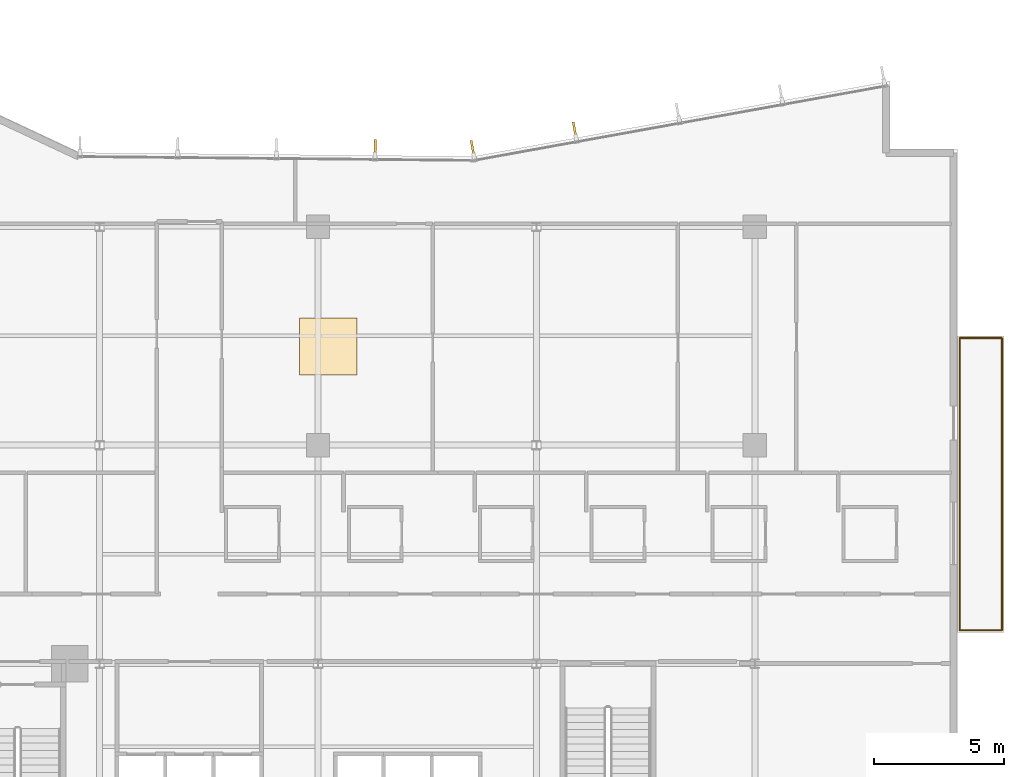
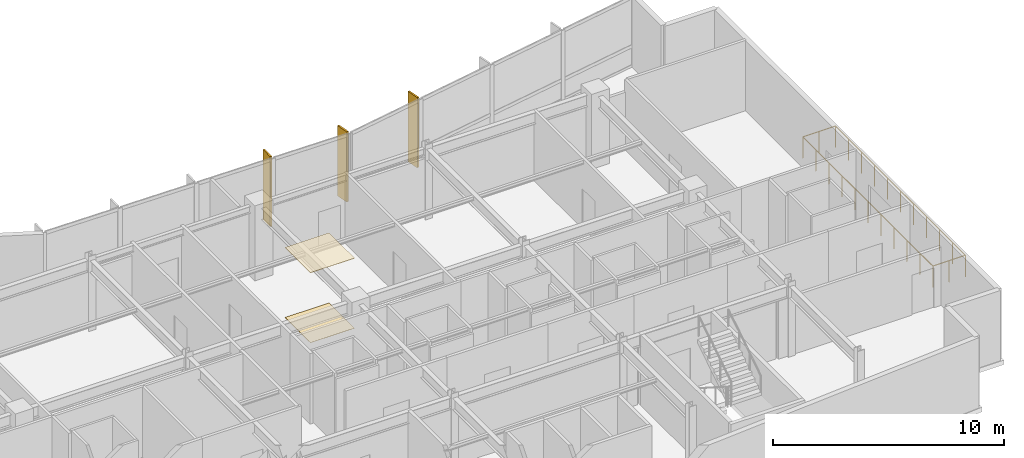
# One storey, part 17 of 19: 4 railings, 3 shading devices, 2 coverings.
"""IFC4 building model written with IfcOpenShell, lengths in metres."""

from ifc_helpers import new_model, si_unit, direction, frame, origin, origin_2d, place, context, subcontext, project, spatial, rectangle, circle, extrude, material, layer, layer_set, type_object, element, save


model = new_model("IFC4")

# Units and contexts
model_context = context("Model", 3, precision=1e-05, world=origin(), true_north=direction((0.0, 1.0)))
body_context = subcontext(model_context, "Body", "Model", "MODEL_VIEW")
ifc_project = project(units=[si_unit("LENGTHUNIT", "METRE"), si_unit("AREAUNIT", "SQUARE_METRE"), si_unit("VOLUMEUNIT", "CUBIC_METRE"), si_unit("PLANEANGLEUNIT", "RADIAN"), si_unit("MASSUNIT", "GRAM", prefix="KILO")], contexts=[model_context])

# Site, building, storey
site_placement = place(None, origin())
site = spatial("IfcSite", under=ifc_project, at=site_placement, CompositionType="ELEMENT")
building_placement = place(site_placement, origin())
building = spatial("IfcBuilding", under=site, at=building_placement, Name="Varnakote Quay Hospital", CompositionType="ELEMENT")
storey_placement = place(building_placement, frame((0.0, 0.0, 54.10009765625)))
storey = spatial("IfcBuildingStorey", under=building, at=storey_placement, Name="L13", CompositionType="ELEMENT", Elevation=54.10009765625)

# Coverings
ifc_material_1 = material(Name="Antimicrobial acoustic mineral ceiling tile", Category="gypsum")
ifc_layer_1 = layer(ifc_material_1, 0.02490234375)
ifc_layer_set_1 = layer_set([ifc_layer_1], Name="Antimicrobial acoustic mineral ceiling tile")
covering_type_1 = type_object("IfcCoveringType", Name="COV-CLIN-CEIL-25", PredefinedType="CEILING", material=ifc_layer_set_1)
covering_1_placement = place(storey_placement, frame((33.9951171875, 24.199951171875, 3.68505859375), z_axis=(0.0, 0.0, 1.0), x_axis=(1.0, 0.0, 0.0)))
element("IfcCovering", 1, at=covering_1_placement, inside=storey, type_object=covering_type_1, Name="L13 Antimicrobial Acoustic Ceiling Tile", PredefinedType="CEILING", context=body_context, shape_type="SweptSolid", body=[
    extrude(rectangle(XDim=2.199951171875, YDim=2.199951171875, at=origin_2d()), origin(), (0.0, 0.0, 1.0), 0.02490234375),
])
ifc_material_2 = material(Name="Seamless clinical sheet vinyl flooring")
ifc_layer_2 = layer(ifc_material_2, 0.011962890625)
ifc_layer_set_2 = layer_set([ifc_layer_2], Name="Seamless clinical sheet vinyl flooring")
covering_type_2 = type_object("IfcCoveringType", Name="COV-CLIN-VINYL-12", PredefinedType="FLOORING", material=ifc_layer_set_2)
covering_2_placement = place(storey_placement, frame((33.9951171875, 24.199951171875, 0.0), z_axis=(0.0, 0.0, 1.0), x_axis=(1.0, 0.0, 0.0)))
element("IfcCovering", 2, at=covering_2_placement, inside=storey, type_object=covering_type_2, Name="L13 Seamless Clinical Vinyl Flooring", PredefinedType="FLOORING", context=body_context, shape_type="SweptSolid", body=[
    extrude(rectangle(XDim=2.199951171875, YDim=2.199951171875, at=origin_2d()), origin(), (0.0, 0.0, 1.0), 0.011962890625),
])

# Railings
ifc_material_3 = material(Name="Anodised aluminium 6063-T6 Bronze", Category="aluminium")
railing_type = type_object("IfcRailingType", Name="RLG-EXT-GUARD-1150", PredefinedType="GUARDRAIL", material=ifc_material_3)
railing_1_placement = place(storey_placement, frame((58.27587890625, 24.52001953125, 0.0)))
element("IfcRailing", 3, at=railing_1_placement, inside=storey, type_object=railing_type, Name="L13 Zigzag Prow Healing Terrace Safety Guard", PredefinedType="GUARDRAIL", context=body_context, shape_type="SweptSolid", body=[
    extrude(circle(Radius=0.02392578125, at=origin_2d()), frame((0.0, 0.0, 1.1259765625), z_axis=(1.0, 0.0, 0.0), x_axis=(0.0, 1.0, 0.0)), (0.0, 0.0, 1.0), 1.6240234375),
    extrude(circle(Radius=0.02099609375, at=origin_2d()), origin(), (0.0, 0.0, 1.0), 1.101806640625),
    extrude(circle(Radius=0.02099609375, at=origin_2d()), frame((0.81201171875, 0.0, 0.0)), (0.0, 0.0, 1.0), 1.101806640625),
    extrude(circle(Radius=0.02099609375, at=origin_2d()), frame((1.6240234375, 0.0, 0.0)), (0.0, 0.0, 1.0), 1.101806640625),
])
railing_2_placement = place(storey_placement, frame((59.89990234375, 24.52001953125, 0.0)))
element("IfcRailing", 4, at=railing_2_placement, inside=storey, type_object=railing_type, Name="L13 Zigzag Prow Healing Terrace Safety Guard", PredefinedType="GUARDRAIL", context=body_context, shape_type="SweptSolid", body=[
    extrude(circle(Radius=0.02392578125, at=origin_2d()), frame((0.0, 0.0, 1.1259765625), z_axis=(0.0, -1.0, 0.0), x_axis=(1.0, 0.0, 0.0)), (0.0, 0.0, 1.0), 11.239990234375),
    extrude(circle(Radius=0.02099609375, at=origin_2d()), origin(), (0.0, 0.0, 1.0), 1.101806640625),
    extrude(circle(Radius=0.02099609375, at=origin_2d()), frame((0.0, -1.1240234375, 0.0)), (0.0, 0.0, 1.0), 1.101806640625),
    extrude(circle(Radius=0.02099609375, at=origin_2d()), frame((0.0, -2.248046875, 0.0)), (0.0, 0.0, 1.0), 1.101806640625),
    extrude(circle(Radius=0.02099609375, at=origin_2d()), frame((0.0, -3.3720703125, 0.0)), (0.0, 0.0, 1.0), 1.101806640625),
    extrude(circle(Radius=0.02099609375, at=origin_2d()), frame((0.0, -4.49609375, 0.0)), (0.0, 0.0, 1.0), 1.101806640625),
    extrude(circle(Radius=0.02099609375, at=origin_2d()), frame((0.0, -5.6201171875, 0.0)), (0.0, 0.0, 1.0), 1.101806640625),
    extrude(circle(Radius=0.02099609375, at=origin_2d()), frame((0.0, -6.743896484375, 0.0)), (0.0, 0.0, 1.0), 1.101806640625),
    extrude(circle(Radius=0.02099609375, at=origin_2d()), frame((0.0, -7.867919921875, 0.0)), (0.0, 0.0, 1.0), 1.101806640625),
    extrude(circle(Radius=0.02099609375, at=origin_2d()), frame((0.0, -8.991943359375, 0.0)), (0.0, 0.0, 1.0), 1.101806640625),
    extrude(circle(Radius=0.02099609375, at=origin_2d()), frame((0.0, -10.115966796875, 0.0)), (0.0, 0.0, 1.0), 1.101806640625),
    extrude(circle(Radius=0.02099609375, at=origin_2d()), frame((0.0, -11.239990234375, 0.0)), (0.0, 0.0, 1.0), 1.101806640625),
])
railing_3_placement = place(storey_placement, frame((59.89990234375, 13.280029296875, 0.0)))
element("IfcRailing", 5, at=railing_3_placement, inside=storey, type_object=railing_type, Name="L13 Zigzag Prow Healing Terrace Safety Guard", PredefinedType="GUARDRAIL", context=body_context, shape_type="SweptSolid", body=[
    extrude(circle(Radius=0.02392578125, at=origin_2d()), frame((0.0, 0.0, 1.1259765625), z_axis=(-1.0, 0.0, 0.0), x_axis=(0.0, -1.0, 0.0)), (0.0, 0.0, 1.0), 1.6240234375),
    extrude(circle(Radius=0.02099609375, at=origin_2d()), origin(), (0.0, 0.0, 1.0), 1.101806640625),
    extrude(circle(Radius=0.02099609375, at=origin_2d()), frame((-0.81201171875, 0.0, 0.0)), (0.0, 0.0, 1.0), 1.101806640625),
    extrude(circle(Radius=0.02099609375, at=origin_2d()), frame((-1.6240234375, 0.0, 0.0)), (0.0, 0.0, 1.0), 1.101806640625),
])
railing_4_placement = place(storey_placement, frame((58.27587890625, 13.280029296875, 0.0)))
element("IfcRailing", 6, at=railing_4_placement, inside=storey, type_object=railing_type, Name="L13 Zigzag Prow Healing Terrace Safety Guard", PredefinedType="GUARDRAIL", context=body_context, shape_type="SweptSolid", body=[
    extrude(circle(Radius=0.02392578125, at=origin_2d()), frame((0.0, 0.0, 1.1259765625), z_axis=(0.0, 1.0, 0.0), x_axis=(-1.0, 0.0, 0.0)), (0.0, 0.0, 1.0), 11.239990234375),
    extrude(circle(Radius=0.02099609375, at=origin_2d()), origin(), (0.0, 0.0, 1.0), 1.101806640625),
    extrude(circle(Radius=0.02099609375, at=origin_2d()), frame((0.0, 1.1240234375, 0.0)), (0.0, 0.0, 1.0), 1.101806640625),
    extrude(circle(Radius=0.02099609375, at=origin_2d()), frame((0.0, 2.248046875, 0.0)), (0.0, 0.0, 1.0), 1.101806640625),
    extrude(circle(Radius=0.02099609375, at=origin_2d()), frame((0.0, 3.3720703125, 0.0)), (0.0, 0.0, 1.0), 1.101806640625),
    extrude(circle(Radius=0.02099609375, at=origin_2d()), frame((0.0, 4.49609375, 0.0)), (0.0, 0.0, 1.0), 1.101806640625),
    extrude(circle(Radius=0.02099609375, at=origin_2d()), frame((0.0, 5.6201171875, 0.0)), (0.0, 0.0, 1.0), 1.101806640625),
    extrude(circle(Radius=0.02099609375, at=origin_2d()), frame((0.0, 6.743896484375, 0.0)), (0.0, 0.0, 1.0), 1.101806640625),
    extrude(circle(Radius=0.02099609375, at=origin_2d()), frame((0.0, 7.867919921875, 0.0)), (0.0, 0.0, 1.0), 1.101806640625),
    extrude(circle(Radius=0.02099609375, at=origin_2d()), frame((0.0, 8.991943359375, 0.0)), (0.0, 0.0, 1.0), 1.101806640625),
    extrude(circle(Radius=0.02099609375, at=origin_2d()), frame((0.0, 10.115966796875, 0.0)), (0.0, 0.0, 1.0), 1.101806640625),
    extrude(circle(Radius=0.02099609375, at=origin_2d()), frame((0.0, 11.239990234375, 0.0)), (0.0, 0.0, 1.0), 1.101806640625),
])

# Shading devices
ifc_material_4 = material(Name="Anodised aluminium 6063-T6 Bronze", Category="aluminium")
ifc_layer_3 = layer(ifc_material_4, 0.0849609375)
ifc_layer_set_3 = layer_set([ifc_layer_3], Name="Anodised aluminium 6063-T6 Bronze")
shading_device_type = type_object("IfcShadingDeviceType", Name="SHD-BRONZE-FIN-620", PredefinedType="USERDEFINED", material=ifc_layer_set_3)
for number, where, z_axis, x_axis, name in (
    (7, (43.468505859375, 32.522705078125, 0.0), (0.0, 0.0, 1.0), (0.177771795263, -0.984071739666, 0.0), "L13 Anodised Bronze Vertical Shading FIN"),
    (8, (39.54296875, 31.81298828125, 0.0), (0.0, 0.0, 1.0), (0.177771795263, -0.984071739666, 0.0), "L13 Anodised Bronze Vertical Shading FIN"),
    (9, (35.798583984375, 31.85107421875, 0.0), (0.0, 0.0, 1.0), (-0.009773688199, -0.999952236369, 0.0), "L13 Anodised Bronze Vertical Shading FIN"),
):
    element("IfcShadingDevice", number, at=place(storey_placement, frame(where, z_axis=z_axis, x_axis=x_axis)), inside=storey, type_object=shading_device_type, Name=name, ObjectType="FIN", PredefinedType="USERDEFINED", context=body_context, shape_type="SweptSolid", body=[
        extrude(rectangle(XDim=0.6201171875, YDim=0.0849609375, at=origin_2d()), origin(), (0.0, 0.0, 1.0), 3.7099609375),
    ])

save(model, "model.ifc")
